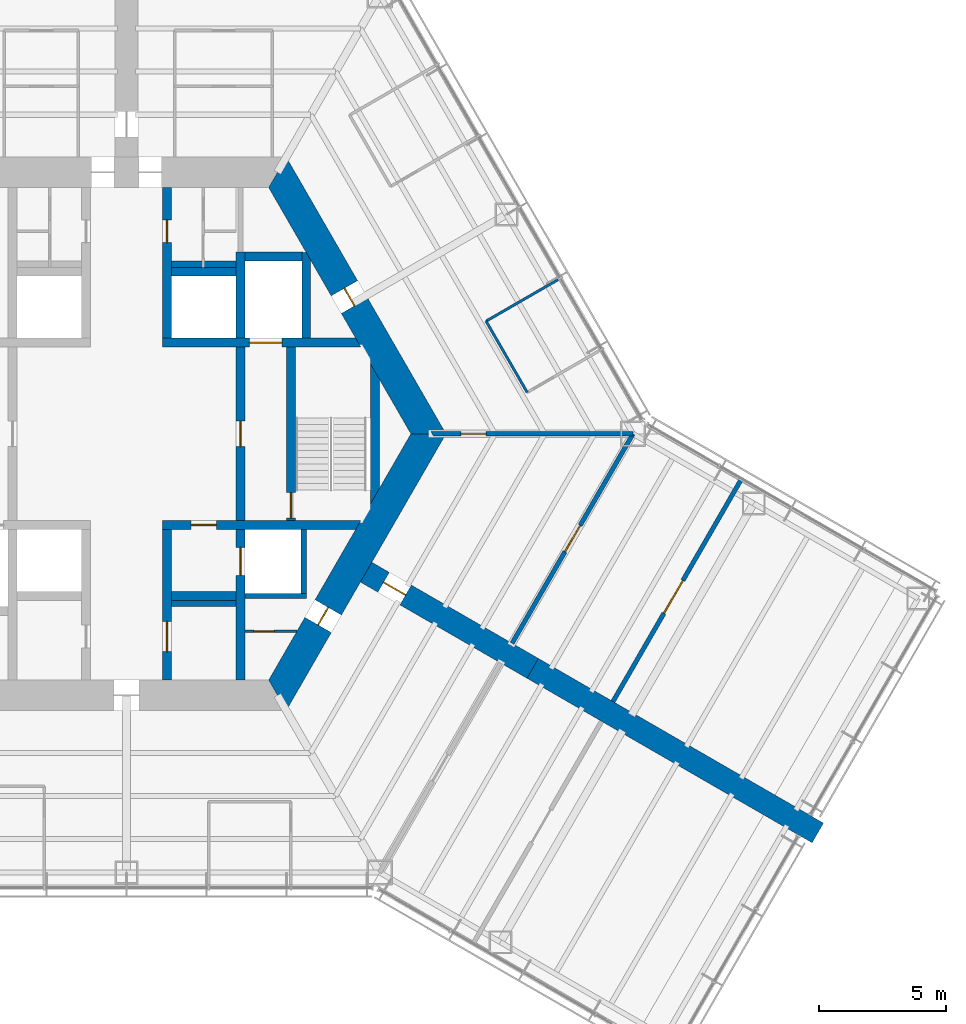
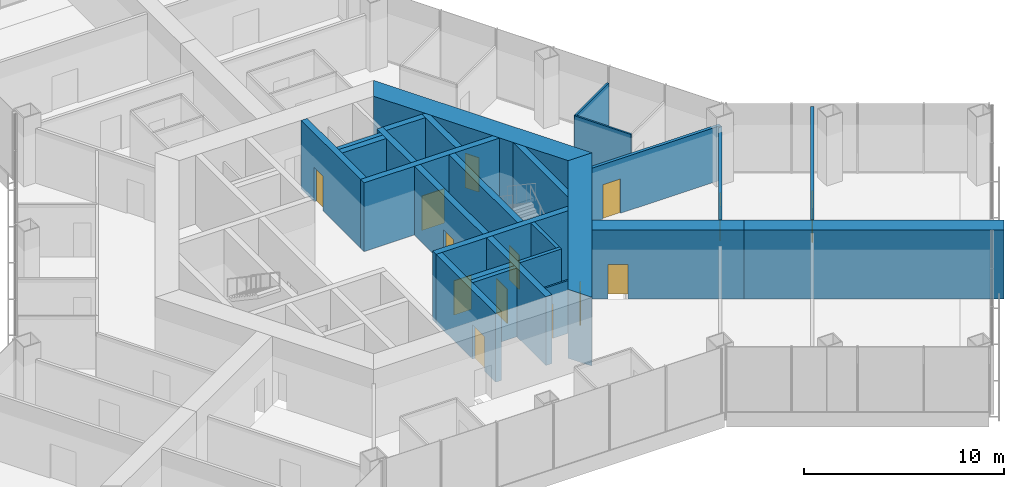
# One storey, part 12 of 17: 27 walls, 14 doors, 14 openings.
"""IFC4 building model written with IfcOpenShell, lengths in metres."""

from ifc_helpers import new_model, si_unit, direction, frame, frame_2d, origin, place, context, subcontext, project, spatial, polyline, rectangle, outline, extrude, material, layer, layer_set, type_object, element, fill, save


model = new_model("IFC4")

# Units and contexts
model_context = context("Model", 3, precision=1e-05, world=origin(), true_north=direction((0.0, 1.0)))
body_context = subcontext(model_context, "Body", "Model", "MODEL_VIEW")
ifc_project = project(units=[si_unit("LENGTHUNIT", "METRE"), si_unit("AREAUNIT", "SQUARE_METRE"), si_unit("VOLUMEUNIT", "CUBIC_METRE"), si_unit("PLANEANGLEUNIT", "RADIAN"), si_unit("MASSUNIT", "GRAM", prefix="KILO")], contexts=[model_context])

# Site, building, storey
site_placement = place(None, origin())
site = spatial("IfcSite", under=ifc_project, at=site_placement, CompositionType="ELEMENT")
building_placement = place(site_placement, origin())
building = spatial("IfcBuilding", under=site, at=building_placement, Name="Kasaneha Research Tower", CompositionType="ELEMENT")
storey_placement = place(building_placement, frame((0.0, 0.0, 43.60009765625)))
storey = spatial("IfcBuildingStorey", under=building, at=storey_placement, Name="L11", CompositionType="ELEMENT", Elevation=43.60009765625)

# Wall, opening, door
ifc_material_1 = material(Name="Concrete Fc100", Category="concrete")
ifc_layer_1 = layer(ifc_material_1, 0.35009765625)
ifc_layer_set_1 = layer_set([ifc_layer_1], Name="Core internal wall 350 Fc100")
wall_type_1 = type_object("IfcWallType", Name="Core internal wall 350 Fc100", PredefinedType="SHEAR", material=ifc_layer_set_1)
wall_1_placement = place(storey_placement, frame((1.425048828125, 3.60009765625, 0.0), z_axis=(0.0, 0.0, 1.0), x_axis=(1.0, 0.0, 0.0)))
wall_1 = element("IfcWall", 1, at=wall_1_placement, inside=storey, type_object=wall_type_1, Name="Core wall W1E L11", PredefinedType="SHEAR", context=body_context, shape_type="SweptSolid", body=[
    extrude(outline(polyline([(0.0, -0.175048828125), (3.425048828125, -0.175048828125), (4.72509765625, -0.175048828125), (7.8271484375, -0.175048828125), (7.625, 0.175048828125), (4.72509765625, 0.175048828125), (3.425048828125, 0.175048828125), (0.0, 0.175048828125), (0.0, -0.175048828125)])), origin(), (0.0, 0.0, 1.0), 4.199951171875),
])
opening_1_placement = place(wall_1_placement, frame((3.425048828125, 0.0, 0.0)))
opening_1 = element("IfcOpeningElement", 2, at=opening_1_placement, cuts=wall_1, Name="Opening LD-FL1-L11", PredefinedType="OPENING", context=body_context, shape_type="SweptSolid", body=[
    extrude(rectangle(XDim=1.300048828125, YDim=2.10009765625, at=frame_2d((0.64990234375, 1.050048828125))), frame((0.0, 0.18505859375, 0.0), z_axis=(0.0, -1.0, 0.0), x_axis=(1.0, 0.0, 0.0)), (0.0, 0.0, 1.0), 0.3701171875),
])
ifc_material_2 = material(Name="Steel", Category="steel")
door_type_1 = type_object("IfcDoorType", Name="Lift landing door 1300x2100", OperationType="DOUBLE_DOOR_SLIDING", PredefinedType="DOOR", material=ifc_material_2)
door_1_placement = place(opening_1_placement, origin())
door_1 = element("IfcDoor", 3, at=door_1_placement, inside=storey, type_object=door_type_1, Name="Landing door FL1 LD-FL1-L11", OperationType="DOUBLE_DOOR_SLIDING", OverallHeight=2.10009765625, OverallWidth=1.300048828125, PredefinedType="DOOR", context=body_context, shape_type="SweptSolid", body=[
    extrude(rectangle(XDim=1.300048828125, YDim=2.10009765625, at=frame_2d((0.64990234375, 1.050048828125))), frame((0.0, 0.02490234375, 0.0), z_axis=(0.0, -1.0, 0.0), x_axis=(1.0, 0.0, 0.0)), (0.0, 0.0, 1.0), 0.050048828125),
])
fill(opening_1, door_1)

wall_2_placement = place(storey_placement, frame((1.425048828125, -3.60009765625, 0.0), z_axis=(0.0, 0.0, 1.0), x_axis=(1.0, 0.0, 0.0)))
wall_2 = element("IfcWall", 4, at=wall_2_placement, inside=storey, type_object=wall_type_1, Name="Core wall W2E L11", PredefinedType="SHEAR", context=body_context, shape_type="SweptSolid", body=[
    extrude(outline(polyline([(0.0, -0.175048828125), (1.125, -0.175048828125), (2.125, -0.175048828125), (7.625, -0.175048828125), (7.8271484375, 0.175048828125), (2.125, 0.175048828125), (1.125, 0.175048828125), (0.0, 0.175048828125), (0.0, -0.175048828125)])), origin(), (0.0, 0.0, 1.0), 4.199951171875),
])
opening_2_placement = place(wall_2_placement, frame((1.125, 0.0, 0.0)))
opening_2 = element("IfcOpeningElement", 5, at=opening_2_placement, cuts=wall_2, Name="Opening L11-LV", PredefinedType="OPENING", context=body_context, shape_type="SweptSolid", body=[
    extrude(rectangle(XDim=1.0, YDim=2.10009765625, at=frame_2d((0.5, 1.050048828125))), frame((0.0, 0.18505859375, 0.0), z_axis=(0.0, -1.0, 0.0), x_axis=(1.0, 0.0, 0.0)), (0.0, 0.0, 1.0), 0.3701171875),
])
ifc_material_3 = material(Name="Steel", Category="steel")
door_type_2 = type_object("IfcDoorType", Name="Specified fire door FD60 1000x2100", OperationType="NOTDEFINED", PredefinedType="DOOR", material=ifc_material_3)
door_2_placement = place(opening_2_placement, origin())
door_2 = element("IfcDoor", 6, at=door_2_placement, inside=storey, type_object=door_type_2, Name="Podium vestibule door L11-LV", OperationType="SINGLE_SWING_LEFT", OverallHeight=2.10009765625, OverallWidth=1.0, PredefinedType="DOOR", context=body_context, shape_type="SweptSolid", body=[
    extrude(rectangle(XDim=1.0, YDim=2.10009765625, at=frame_2d((0.5, 1.050048828125))), frame((0.0, 0.02490234375, 0.0), z_axis=(0.0, -1.0, 0.0), x_axis=(1.0, 0.0, 0.0)), (0.0, 0.0, 1.0), 0.050048828125),
])
fill(opening_2, door_2)

wall_3_placement = place(storey_placement, frame((1.60009765625, 3.77490234375, 0.0), z_axis=(0.0, 0.0, 1.0), x_axis=(0.0, 1.0, 0.0)))
wall_3 = element("IfcWall", 7, at=wall_3_placement, inside=storey, type_object=wall_type_1, Name="Core wall CNE L11", PredefinedType="SHEAR", context=body_context, shape_type="SweptSolid", body=[
    extrude(rectangle(XDim=5.9501953125, YDim=0.35009765625, at=frame_2d((2.97509765625, 0.0))), origin(), (0.0, 0.0, 1.0), 4.199951171875),
])
opening_3_placement = place(wall_3_placement, frame((3.77490234375, 0.0, 0.0)))
opening_3 = element("IfcOpeningElement", 8, at=opening_3_placement, cuts=wall_3, Name="Opening L11-D14", PredefinedType="OPENING", context=body_context, shape_type="SweptSolid", body=[
    extrude(rectangle(XDim=0.89990234375, YDim=2.10009765625, at=frame_2d((0.449951171875, 1.050048828125))), frame((0.0, 0.18505859375, 0.0), z_axis=(0.0, -1.0, 0.0), x_axis=(1.0, 0.0, 0.0)), (0.0, 0.0, 1.0), 0.3701171875),
])
ifc_material_4 = material(Name="Steel", Category="steel")
door_type_3 = type_object("IfcDoorType", Name="Toilet door FD20 900x2100", OperationType="NOTDEFINED", PredefinedType="DOOR", material=ifc_material_4)
door_3_placement = place(opening_3_placement, origin())
door_3 = element("IfcDoor", 9, at=door_3_placement, inside=storey, type_object=door_type_3, Name="Women's WC door L11-D14", OperationType="SINGLE_SWING_LEFT", OverallHeight=2.10009765625, OverallWidth=0.89990234375, PredefinedType="DOOR", context=body_context, shape_type="SweptSolid", body=[
    extrude(rectangle(XDim=0.89990234375, YDim=2.10009765625, at=frame_2d((0.449951171875, 1.050048828125))), frame((0.0, 0.02490234375, 0.0), z_axis=(0.0, -1.0, 0.0), x_axis=(1.0, 0.0, 0.0)), (0.0, 0.0, 1.0), 0.050048828125),
])
fill(opening_3, door_3)

wall_4_placement = place(storey_placement, frame((1.60009765625, -3.77490234375, 0.0), z_axis=(0.0, 0.0, 1.0), x_axis=(0.0, -1.0, 0.0)))
wall_4 = element("IfcWall", 10, at=wall_4_placement, inside=storey, type_object=wall_type_1, Name="Core wall CSE L11", PredefinedType="SHEAR", context=body_context, shape_type="SweptSolid", body=[
    extrude(rectangle(XDim=5.9501953125, YDim=0.35009765625, at=frame_2d((2.97509765625, 0.0))), origin(), (0.0, 0.0, 1.0), 4.199951171875),
])
opening_4_placement = place(wall_4_placement, frame((3.625, 0.0, 0.0)))
opening_4 = element("IfcOpeningElement", 11, at=opening_4_placement, cuts=wall_4, Name="Opening L11-D15", PredefinedType="OPENING", context=body_context, shape_type="SweptSolid", body=[
    extrude(rectangle(XDim=1.199951171875, YDim=2.10009765625, at=frame_2d((0.60009765625, 1.050048828125))), frame((0.0, 0.18505859375, 0.0), z_axis=(0.0, -1.0, 0.0), x_axis=(1.0, 0.0, 0.0)), (0.0, 0.0, 1.0), 0.3701171875),
])
ifc_material_5 = material(Name="Steel", Category="steel")
door_type_4 = type_object("IfcDoorType", Name="Accessible toilet sliding door FD20 1200x2100", OperationType="SLIDING_TO_LEFT", PredefinedType="DOOR", material=ifc_material_5)
door_4_placement = place(opening_4_placement, origin())
door_4 = element("IfcDoor", 12, at=door_4_placement, inside=storey, type_object=door_type_4, Name="Accessible WC door L11-D15", OperationType="SLIDING_TO_LEFT", OverallHeight=2.10009765625, OverallWidth=1.199951171875, PredefinedType="DOOR", context=body_context, shape_type="SweptSolid", body=[
    extrude(rectangle(XDim=1.199951171875, YDim=2.10009765625, at=frame_2d((0.60009765625, 1.050048828125))), frame((0.0, 0.02490234375, 0.0), z_axis=(0.0, -1.0, 0.0), x_axis=(1.0, 0.0, 0.0)), (0.0, 0.0, 1.0), 0.050048828125),
])
fill(opening_4, door_4)

wall_5_placement = place(storey_placement, frame((4.5, -3.425048828125, 0.0), z_axis=(0.0, 0.0, 1.0), x_axis=(0.0, 1.0, 0.0)))
wall_5 = element("IfcWall", 13, at=wall_5_placement, inside=storey, type_object=wall_type_1, Name="Core wall LBE L11", PredefinedType="SHEAR", context=body_context, shape_type="SweptSolid", body=[
    extrude(rectangle(XDim=6.85009765625, YDim=0.35009765625, at=frame_2d((3.425048828125, 0.0))), origin(), (0.0, 0.0, 1.0), 4.199951171875),
])
opening_5_placement = place(wall_5_placement, frame((2.925048828125, 0.0, 0.0)))
opening_5 = element("IfcOpeningElement", 14, at=opening_5_placement, cuts=wall_5, Name="Opening L11-D08", PredefinedType="OPENING", context=body_context, shape_type="SweptSolid", body=[
    extrude(rectangle(XDim=1.0, YDim=2.10009765625, at=frame_2d((0.5, 1.050048828125))), frame((0.0, 0.18505859375, 0.0), z_axis=(0.0, -1.0, 0.0), x_axis=(1.0, 0.0, 0.0)), (0.0, 0.0, 1.0), 0.3701171875),
])
door_5_placement = place(opening_5_placement, origin())
door_5 = element("IfcDoor", 15, at=door_5_placement, inside=storey, type_object=door_type_2, Name="Lift lobby door east L11-D08", OperationType="SINGLE_SWING_LEFT", OverallHeight=2.10009765625, OverallWidth=1.0, PredefinedType="DOOR", context=body_context, shape_type="SweptSolid", body=[
    extrude(rectangle(XDim=1.0, YDim=2.10009765625, at=frame_2d((0.5, 1.050048828125))), frame((0.0, 0.02490234375, 0.0), z_axis=(0.0, -1.0, 0.0), x_axis=(1.0, 0.0, 0.0)), (0.0, 0.0, 1.0), 0.050048828125),
])
fill(opening_5, door_5)

wall_6_placement = place(storey_placement, frame((6.5, -3.425048828125, 0.0), z_axis=(0.0, 0.0, 1.0), x_axis=(0.0, 1.0, 0.0)))
wall_6 = element("IfcWall", 16, at=wall_6_placement, inside=storey, type_object=wall_type_1, Name="Core wall ANE L11", PredefinedType="SHEAR", context=body_context, shape_type="SweptSolid", body=[
    extrude(rectangle(XDim=6.85009765625, YDim=0.35009765625, at=frame_2d((3.425048828125, 0.0))), origin(), (0.0, 0.0, 1.0), 4.199951171875),
])
opening_6_placement = place(wall_6_placement, frame((0.10009765625, 0.0, 0.0)))
opening_6 = element("IfcOpeningElement", 17, at=opening_6_placement, cuts=wall_6, Name="Opening L11-D10", PredefinedType="OPENING", context=body_context, shape_type="SweptSolid", body=[
    extrude(rectangle(XDim=1.0, YDim=2.10009765625, at=frame_2d((0.5, 1.050048828125))), frame((0.0, 0.18505859375, 0.0), z_axis=(0.0, -1.0, 0.0), x_axis=(1.0, 0.0, 0.0)), (0.0, 0.0, 1.0), 0.3701171875),
])
door_6_placement = place(opening_6_placement, origin())
door_6 = element("IfcDoor", 18, at=door_6_placement, inside=storey, type_object=door_type_2, Name="Stair 1 door L11-D10", OperationType="SINGLE_SWING_LEFT", OverallHeight=2.10009765625, OverallWidth=1.0, PredefinedType="DOOR", context=body_context, shape_type="SweptSolid", body=[
    extrude(rectangle(XDim=1.0, YDim=2.10009765625, at=frame_2d((0.5, 1.050048828125))), frame((0.0, 0.02490234375, 0.0), z_axis=(0.0, -1.0, 0.0), x_axis=(1.0, 0.0, 0.0)), (0.0, 0.0, 1.0), 0.050048828125),
])
fill(opening_6, door_6)

# Wall
wall_7_placement = place(storey_placement, frame((4.5, 3.77490234375, 0.0), z_axis=(0.0, 0.0, 1.0), x_axis=(0.0, 1.0, 0.0)))
element("IfcWall", 19, at=wall_7_placement, inside=storey, type_object=wall_type_1, Name="Core wall FNE L11", PredefinedType="SHEAR", context=body_context, shape_type="SweptSolid", body=[
    extrude(rectangle(XDim=3.400146484375, YDim=0.35009765625, at=frame_2d((1.7001953125, 0.0))), origin(), (0.0, 0.0, 1.0), 4.199951171875),
])

# Wall, opening, door
wall_8_placement = place(storey_placement, frame((4.5, -3.77490234375, 0.0), z_axis=(0.0, 0.0, 1.0), x_axis=(0.0, -1.0, 0.0)))
wall_8 = element("IfcWall", 20, at=wall_8_placement, inside=storey, type_object=wall_type_1, Name="Core wall SSE L11", PredefinedType="SHEAR", context=body_context, shape_type="SweptSolid", body=[
    extrude(rectangle(XDim=5.9501953125, YDim=0.35009765625, at=frame_2d((2.97509765625, 0.0))), origin(), (0.0, 0.0, 1.0), 4.199951171875),
])
opening_7_placement = place(wall_8_placement, frame((0.71240234375, 0.0, 0.0)))
opening_7 = element("IfcOpeningElement", 21, at=opening_7_placement, cuts=wall_8, Name="Opening LD-PL1-L11", PredefinedType="OPENING", context=body_context, shape_type="SweptSolid", body=[
    extrude(rectangle(XDim=1.10009765625, YDim=2.10009765625, at=frame_2d((0.550048828125, 1.050048828125))), frame((0.0, 0.18505859375, 0.0), z_axis=(0.0, -1.0, 0.0), x_axis=(1.0, 0.0, 0.0)), (0.0, 0.0, 1.0), 0.3701171875),
])
ifc_material_6 = material(Name="Steel", Category="steel")
door_type_5 = type_object("IfcDoorType", Name="Lift landing door 1100x2100", OperationType="DOUBLE_DOOR_SLIDING", PredefinedType="DOOR", material=ifc_material_6)
door_7_placement = place(opening_7_placement, origin())
door_7 = element("IfcDoor", 22, at=door_7_placement, inside=storey, type_object=door_type_5, Name="Landing door PL1 LD-PL1-L11", OperationType="DOUBLE_DOOR_SLIDING", OverallHeight=2.10009765625, OverallWidth=1.10009765625, PredefinedType="DOOR", context=body_context, shape_type="SweptSolid", body=[
    extrude(rectangle(XDim=1.10009765625, YDim=2.10009765625, at=frame_2d((0.550048828125, 1.050048828125))), frame((0.0, 0.02490234375, 0.0), z_axis=(0.0, -1.0, 0.0), x_axis=(1.0, 0.0, 0.0)), (0.0, 0.0, 1.0), 0.050048828125),
])
fill(opening_7, door_7)

# Walls
for number, where, z_axis, x_axis, name in (
    (23, (1.77490234375, 6.39990234375, 0.0), (0.0, 0.0, 1.0), (1.0, 0.0, 0.0), "Core wall N3N L11"),
    (24, (1.77490234375, -6.39990234375, 0.0), (0.0, 0.0, 1.0), (1.0, 0.0, 0.0), "Core wall S3S L11"),
):
    element("IfcWall", number, at=place(storey_placement, frame(where, z_axis=z_axis, x_axis=x_axis)), inside=storey, type_object=wall_type_1, Name=name, PredefinedType="SHEAR", context=body_context, shape_type="SweptSolid", body=[
        extrude(rectangle(XDim=2.550048828125, YDim=0.35009765625, at=frame_2d((1.27490234375, 0.0))), origin(), (0.0, 0.0, 1.0), 4.199951171875),
    ])
wall_9_placement = place(storey_placement, frame((4.675048828125, 7.0, 0.0), z_axis=(0.0, 0.0, 1.0), x_axis=(1.0, 0.0, 0.0)))
element("IfcWall", 25, at=wall_9_placement, inside=storey, type_object=wall_type_1, Name="Core wall F1N L11", PredefinedType="SHEAR", context=body_context, shape_type="SweptSolid", body=[
    extrude(rectangle(XDim=2.25, YDim=0.35009765625, at=frame_2d((1.125, 0.0))), origin(), (0.0, 0.0, 1.0), 4.199951171875),
])
wall_10_placement = place(storey_placement, frame((7.10009765625, 3.77490234375, 0.0), z_axis=(0.0, 0.0, 1.0), x_axis=(0.0, 1.0, 0.0)))
element("IfcWall", 26, at=wall_10_placement, inside=storey, type_object=wall_type_1, Name="Core wall F1E L11", PredefinedType="SHEAR", context=body_context, shape_type="SweptSolid", body=[
    extrude(outline(polyline([(0.0, -0.175048828125), (3.07421875, -0.175048828125), (3.37744140625, 0.0), (3.39990234375, 0.175048828125), (0.0, 0.175048828125), (0.0, -0.175048828125)])), origin(), (0.0, 0.0, 1.0), 4.199951171875),
])
wall_11_placement = place(storey_placement, frame((9.807861328125, -2.462158203125, 0.0), z_axis=(0.0, 0.0, 1.0), x_axis=(0.0, 1.0, 0.0)))
element("IfcWall", 27, at=wall_11_placement, inside=storey, type_object=wall_type_1, Name="Core wall STE L11", PredefinedType="SHEAR", context=body_context, shape_type="SweptSolid", body=[
    extrude(outline(polyline([(0.30322265625, -0.175048828125), (4.62109375, -0.175048828125), (5.2275390625, 0.175048828125), (-0.30322265625, 0.175048828125), (0.30322265625, -0.175048828125)])), origin(), (0.0, 0.0, 1.0), 4.199951171875),
])

# Wall, opening, door
ifc_material_7 = material(Name="Concrete Fc100", Category="concrete")
ifc_layer_2 = layer(ifc_material_7, 1.199951171875)
ifc_layer_set_2 = layer_set([ifc_layer_2], Name="Core wall 1200 Fc100")
wall_type_2 = type_object("IfcWallType", Name="Core wall 1200 Fc100", PredefinedType="SHEAR", material=ifc_layer_set_2)
wall_12_placement = place(storey_placement, frame((11.92236328125, 0.0, 0.0), z_axis=(0.0, 0.0, 1.0), x_axis=(-0.500004296715, 0.866022923061, 0.0)))
wall_12 = element("IfcWall", 28, at=wall_12_placement, inside=storey, type_object=wall_type_2, Name="Core wall 030 L11", PredefinedType="SHEAR", context=body_context, shape_type="SweptSolid", body=[
    extrude(outline(polyline([(-0.346435546875, -0.60009765625), (5.83544921875, -0.60009765625), (6.635498046875, -0.60009765625), (12.268798828125, -0.60009765625), (11.575927734375, 0.60009765625), (6.635498046875, 0.60009765625), (5.83544921875, 0.60009765625), (0.346435546875, 0.60009765625), (-0.346435546875, -0.60009765625)])), origin(), (0.0, 0.0, 1.0), 4.199951171875),
])
opening_8_placement = place(wall_12_placement, frame((5.83544921875, 0.0, 0.0)))
opening_8 = element("IfcOpeningElement", 29, at=opening_8_placement, cuts=wall_12, Name="Opening L11-D04", PredefinedType="OPENING", context=body_context, shape_type="SweptSolid", body=[
    extrude(rectangle(XDim=0.800048828125, YDim=2.10009765625, at=frame_2d((0.39990234375, 1.050048828125))), frame((0.0, 0.60986328125, 0.0), z_axis=(0.0, -1.0, 0.0), x_axis=(1.0, 0.0, 0.0)), (0.0, 0.0, 1.0), 1.219970703125),
])
ifc_material_8 = material(Name="Steel", Category="steel")
door_type_6 = type_object("IfcDoorType", Name="Riser access door FD60 800x2100", OperationType="NOTDEFINED", PredefinedType="DOOR", material=ifc_material_8)
door_8_placement = place(opening_8_placement, origin())
door_8 = element("IfcDoor", 30, at=door_8_placement, inside=storey, type_object=door_type_6, Name="Pipe riser door L11-D04", OperationType="SINGLE_SWING_RIGHT", OverallHeight=2.10009765625, OverallWidth=0.800048828125, PredefinedType="DOOR", context=body_context, shape_type="SweptSolid", body=[
    extrude(rectangle(XDim=0.800048828125, YDim=2.10009765625, at=frame_2d((0.39990234375, 1.050048828125))), frame((0.0, 0.02490234375, 0.0), z_axis=(0.0, -1.0, 0.0), x_axis=(1.0, 0.0, 0.0)), (0.0, 0.0, 1.0), 0.050048828125),
])
fill(opening_8, door_8)

wall_13_placement = place(storey_placement, frame((5.961181640625, -10.324951171875, 0.0), z_axis=(0.0, 0.0, 1.0), x_axis=(0.500004296715, 0.866022923061, 0.0)))
wall_13 = element("IfcWall", 31, at=wall_13_placement, inside=storey, type_object=wall_type_2, Name="Core wall 330 L11", PredefinedType="SHEAR", context=body_context, shape_type="SweptSolid", body=[
    extrude(outline(polyline([(-0.346435546875, -0.60009765625), (3.20849609375, -0.60009765625), (4.008544921875, -0.60009765625), (12.268798828125, -0.60009765625), (11.575927734375, 0.60009765625), (4.008544921875, 0.60009765625), (3.20849609375, 0.60009765625), (0.346435546875, 0.60009765625), (-0.346435546875, -0.60009765625)])), origin(), (0.0, 0.0, 1.0), 4.199951171875),
])
opening_9_placement = place(wall_13_placement, frame((3.20849609375, 0.0, 0.0)))
opening_9 = element("IfcOpeningElement", 32, at=opening_9_placement, cuts=wall_13, Name="Opening L11-D05", PredefinedType="OPENING", context=body_context, shape_type="SweptSolid", body=[
    extrude(rectangle(XDim=0.800048828125, YDim=2.10009765625, at=frame_2d((0.39990234375, 1.050048828125))), frame((0.0, 0.60986328125, 0.0), z_axis=(0.0, -1.0, 0.0), x_axis=(1.0, 0.0, 0.0)), (0.0, 0.0, 1.0), 1.219970703125),
])
door_9_placement = place(opening_9_placement, origin())
door_9 = element("IfcDoor", 33, at=door_9_placement, inside=storey, type_object=door_type_6, Name="Pipe riser door L11-D05", OperationType="SINGLE_SWING_LEFT", OverallHeight=2.10009765625, OverallWidth=0.800048828125, PredefinedType="DOOR", context=body_context, shape_type="SweptSolid", body=[
    extrude(rectangle(XDim=0.800048828125, YDim=2.10009765625, at=frame_2d((0.39990234375, 1.050048828125))), frame((0.0, 0.02490234375, 0.0), z_axis=(0.0, -1.0, 0.0), x_axis=(1.0, 0.0, 0.0)), (0.0, 0.0, 1.0), 0.050048828125),
])
fill(opening_9, door_9)

ifc_material_9 = material(Name="Gypsum board on steel studs, two layers each side", Category="steel")
ifc_layer_3 = layer(ifc_material_9, 0.175048828125)
ifc_layer_set_3 = layer_set([ifc_layer_3], Name="Laboratory fire partition 175")
wall_type_3 = type_object("IfcWallType", Name="Laboratory fire partition 175", PredefinedType="PARTITIONING", material=ifc_layer_set_3)
wall_14_placement = place(storey_placement, frame((15.22509765625, -8.2705078125, 0.0), z_axis=(0.0, 0.0, 1.0), x_axis=(0.499993908199, 0.866028920859, 0.0)))
wall_14 = element("IfcWall", 34, at=wall_14_placement, inside=storey, type_object=wall_type_3, Name="Laboratory fire partition LABC-E L11", PredefinedType="PARTITIONING", context=body_context, shape_type="SweptSolid", body=[
    extrude(rectangle(XDim=9.5498046875, YDim=0.175048828125, at=frame_2d((4.77490234375, 0.0))), origin(), (0.0, 0.0, 1.0), 3.23779296875),
])
opening_10_placement = place(wall_14_placement, frame((4.175048828125, 0.0, 0.0)))
opening_10 = element("IfcOpeningElement", 35, at=opening_10_placement, cuts=wall_14, Name="Opening L11-D46", PredefinedType="OPENING", context=body_context, shape_type="SweptSolid", body=[
    extrude(rectangle(XDim=1.199951171875, YDim=2.10009765625, at=frame_2d((0.60009765625, 1.050048828125))), frame((0.0, 0.09765625, 0.0), z_axis=(0.0, -1.0, 0.0), x_axis=(1.0, 0.0, 0.0)), (0.0, 0.0, 1.0), 0.195068359375),
])
ifc_material_10 = material(Name="Steel", Category="steel")
door_type_7 = type_object("IfcDoorType", Name="Laboratory door FD60 1200x2100", OperationType="DOUBLE_DOOR_SINGLE_SWING", PredefinedType="DOOR", material=ifc_material_10)
door_10_placement = place(opening_10_placement, origin())
door_10 = element("IfcDoor", 36, at=door_10_placement, inside=storey, type_object=door_type_7, Name="Laboratory door L11-D46", OperationType="DOUBLE_DOOR_SINGLE_SWING", OverallHeight=2.10009765625, OverallWidth=1.199951171875, PredefinedType="DOOR", context=body_context, shape_type="SweptSolid", body=[
    extrude(rectangle(XDim=1.199951171875, YDim=2.10009765625, at=frame_2d((0.60009765625, 1.050048828125))), frame((0.0, 0.02490234375, 0.0), z_axis=(0.0, -1.0, 0.0), x_axis=(1.0, 0.0, 0.0)), (0.0, 0.0, 1.0), 0.050048828125),
])
fill(opening_10, door_10)

wall_15_placement = place(storey_placement, frame((19.208740234375, -10.570556640625, 0.0), z_axis=(0.0, 0.0, 1.0), x_axis=(0.500005203629, 0.866022399447, 0.0)))
wall_15 = element("IfcWall", 37, at=wall_15_placement, inside=storey, type_object=wall_type_3, Name="Laboratory fire partition INSC-E L11", PredefinedType="PARTITIONING", context=body_context, shape_type="SweptSolid", body=[
    extrude(rectangle(XDim=10.14013671875, YDim=0.175048828125, at=frame_2d((5.070068359375, 0.0))), origin(), (0.0, 0.0, 1.0), 4.02978515625),
])
opening_11_placement = place(wall_15_placement, frame((4.02490234375, 0.0, 0.0)))
opening_11 = element("IfcOpeningElement", 38, at=opening_11_placement, cuts=wall_15, Name="Opening L11-D47", PredefinedType="OPENING", context=body_context, shape_type="SweptSolid", body=[
    extrude(rectangle(XDim=1.5, YDim=2.10009765625, at=frame_2d((0.75, 1.050048828125))), frame((0.0, 0.09765625, 0.0), z_axis=(0.0, -1.0, 0.0), x_axis=(1.0, 0.0, 0.0)), (0.0, 0.0, 1.0), 0.195068359375),
])
ifc_material_11 = material(Name="Steel", Category="steel")
door_type_8 = type_object("IfcDoorType", Name="Laboratory door FD60 1500x2100", OperationType="DOUBLE_DOOR_SINGLE_SWING", PredefinedType="DOOR", material=ifc_material_11)
door_11_placement = place(opening_11_placement, origin())
door_11 = element("IfcDoor", 39, at=door_11_placement, inside=storey, type_object=door_type_8, Name="Instrument room door L11-D47", OperationType="DOUBLE_DOOR_SINGLE_SWING", OverallHeight=2.10009765625, OverallWidth=1.5, PredefinedType="DOOR", context=body_context, shape_type="SweptSolid", body=[
    extrude(rectangle(XDim=1.5, YDim=2.10009765625, at=frame_2d((0.75, 1.050048828125))), frame((0.0, 0.02490234375, 0.0), z_axis=(0.0, -1.0, 0.0), x_axis=(1.0, 0.0, 0.0)), (0.0, 0.0, 1.0), 0.050048828125),
])
fill(opening_11, door_11)

# Walls
ifc_material_12 = material(Name="Concrete block", Category="concrete")
ifc_layer_4 = layer(ifc_material_12, 0.199951171875)
ifc_layer_set_4 = layer_set([ifc_layer_4], Name="Lift shaft wall 200")
wall_type_4 = type_object("IfcWallType", Name="Lift shaft wall 200", PredefinedType="STANDARD", material=ifc_layer_set_4)
wall_16_placement = place(storey_placement, frame((4.675048828125, -6.39990234375, 0.0), z_axis=(0.0, 0.0, 1.0), x_axis=(1.0, 0.0, 0.0)))
element("IfcWall", 40, at=wall_16_placement, inside=storey, type_object=wall_type_4, Name="Lift shaft wall P1S L11", PredefinedType="STANDARD", context=body_context, shape_type="SweptSolid", body=[
    extrude(rectangle(XDim=2.425048828125, YDim=0.199951171875, at=frame_2d((1.21240234375, 0.0))), origin(), (0.0, 0.0, 1.0), 4.199951171875),
])
wall_17_placement = place(storey_placement, frame((7.0, -3.77490234375, 0.0), z_axis=(0.0, 0.0, 1.0), x_axis=(0.0, -1.0, 0.0)))
element("IfcWall", 41, at=wall_17_placement, inside=storey, type_object=wall_type_4, Name="Lift shaft wall P1E L11", PredefinedType="STANDARD", context=body_context, shape_type="SweptSolid", body=[
    extrude(rectangle(XDim=2.525146484375, YDim=0.199951171875, at=frame_2d((1.2626953125, 0.0))), origin(), (0.0, 0.0, 1.0), 4.199951171875),
])

# Wall, opening, door
ifc_material_13 = material(Name="Gypsum board on steel studs, one layer each side", Category="steel")
ifc_layer_5 = layer(ifc_material_13, 0.10009765625)
ifc_layer_set_5 = layer_set([ifc_layer_5], Name="Office partition 100")
wall_type_5 = type_object("IfcWallType", Name="Office partition 100", PredefinedType="PARTITIONING", material=ifc_layer_set_5)
wall_18_placement = place(storey_placement, frame((4.675048828125, -7.800048828125, 0.0), z_axis=(0.0, 0.0, 1.0), x_axis=(1.0, 0.0, 0.0)))
wall_18 = element("IfcWall", 42, at=wall_18_placement, inside=storey, type_object=wall_type_5, Name="Office partition RS-SE L11", PredefinedType="PARTITIONING", context=body_context, shape_type="SweptSolid", body=[
    extrude(outline(polyline([(0.0, -0.050048828125), (0.35009765625, -0.050048828125), (1.150146484375, -0.050048828125), (2.022216796875, -0.050048828125), (2.051025390625, 0.0), (2.056884765625, 0.050048828125), (1.150146484375, 0.050048828125), (0.35009765625, 0.050048828125), (0.0, 0.050048828125), (0.0, -0.050048828125)])), origin(), (0.0, 0.0, 1.0), 3.22998046875),
])
opening_12_placement = place(wall_18_placement, frame((0.35009765625, 0.0, 0.0)))
opening_12 = element("IfcOpeningElement", 43, at=opening_12_placement, cuts=wall_18, Name="Opening L11-D24", PredefinedType="OPENING", context=body_context, shape_type="SweptSolid", body=[
    extrude(rectangle(XDim=0.800048828125, YDim=2.10009765625, at=frame_2d((0.39990234375, 1.050048828125))), frame((0.0, 0.06005859375, 0.0), z_axis=(0.0, -1.0, 0.0), x_axis=(1.0, 0.0, 0.0)), (0.0, 0.0, 1.0), 0.1201171875),
])
door_12_placement = place(opening_12_placement, origin())
door_12 = element("IfcDoor", 44, at=door_12_placement, inside=storey, type_object=door_type_6, Name="Drainage riser door L11-D24", OperationType="SINGLE_SWING_LEFT", OverallHeight=2.10009765625, OverallWidth=0.800048828125, PredefinedType="DOOR", context=body_context, shape_type="SweptSolid", body=[
    extrude(rectangle(XDim=0.800048828125, YDim=2.10009765625, at=frame_2d((0.39990234375, 1.050048828125))), frame((0.0, 0.02490234375, 0.0), z_axis=(0.0, -1.0, 0.0), x_axis=(1.0, 0.0, 0.0)), (0.0, 0.0, 1.0), 0.050048828125),
])
fill(opening_12, door_12)

# Walls
wall_19_placement = place(storey_placement, frame((14.1982421875, 4.44873046875, 0.0), z_axis=(0.0, 0.0, 1.0), x_axis=(0.866008333849, 0.50002956483, 0.0)))
element("IfcWall", 45, at=wall_19_placement, inside=storey, type_object=wall_type_5, Name="Office partition FAE04 L11", PredefinedType="PARTITIONING", context=body_context, shape_type="SweptSolid", body=[
    extrude(rectangle(XDim=3.280029296875, YDim=0.10009765625, at=frame_2d((1.64013671875, 0.0))), origin(), (0.0, 0.0, 1.0), 3.22998046875),
])
wall_20_placement = place(storey_placement, frame((15.821533203125, 1.63720703125, 0.0), z_axis=(0.0, 0.0, 1.0), x_axis=(-0.500013214685, 0.866017774148, 0.0)))
element("IfcWall", 46, at=wall_20_placement, inside=storey, type_object=wall_type_5, Name="Office partition FAE05 L11", PredefinedType="PARTITIONING", context=body_context, shape_type="SweptSolid", body=[
    extrude(rectangle(XDim=3.24658203125, YDim=0.10009765625, at=frame_2d((1.623291015625, 0.0))), origin(), (0.0, 0.0, 1.0), 3.22998046875),
])

# Wall, opening, door
ifc_material_14 = material(Name="Concrete Fc100", Category="concrete")
ifc_layer_6 = layer(ifc_material_14, 0.89990234375)
ifc_layer_set_6 = layer_set([ifc_layer_6], Name="Spine wall 900 Fc100")
wall_type_6 = type_object("IfcWallType", Name="Spine wall 900 Fc100", PredefinedType="SHEAR", material=ifc_layer_set_6)
wall_21_placement = place(storey_placement, frame((9.46142578125, -5.46240234375, 0.0), z_axis=(0.0, 0.0, 1.0), x_axis=(0.866019116917, -0.500010889016, 0.0)))
wall_21 = element("IfcWall", 47, at=wall_21_placement, inside=storey, type_object=wall_type_6, Name="Spine wall C L11", PredefinedType="SHEAR", context=body_context, shape_type="SweptSolid", body=[
    extrude(rectangle(XDim=7.595458984375, YDim=0.89990234375, at=frame_2d((3.7978515625, 0.0))), origin(), (0.0, 0.0, 1.0), 4.199951171875),
])
opening_13_placement = place(wall_21_placement, frame((0.800048828125, 0.0, 0.0)))
opening_13 = element("IfcOpeningElement", 48, at=opening_13_placement, cuts=wall_21, Name="Opening L11-D19", PredefinedType="OPENING", context=body_context, shape_type="SweptSolid", body=[
    extrude(rectangle(XDim=1.0, YDim=2.10009765625, at=frame_2d((0.5, 1.050048828125))), frame((0.0, 0.4599609375, 0.0), z_axis=(0.0, -1.0, 0.0), x_axis=(1.0, 0.0, 0.0)), (0.0, 0.0, 1.0), 0.919921875),
])
door_13_placement = place(opening_13_placement, origin())
door_13 = element("IfcDoor", 49, at=door_13_placement, inside=storey, type_object=door_type_2, Name="Spine doorway C L11-D19", OperationType="SINGLE_SWING_LEFT", OverallHeight=2.10009765625, OverallWidth=1.0, PredefinedType="DOOR", context=body_context, shape_type="SweptSolid", body=[
    extrude(rectangle(XDim=1.0, YDim=2.10009765625, at=frame_2d((0.5, 1.050048828125))), frame((0.0, 0.02490234375, 0.0), z_axis=(0.0, -1.0, 0.0), x_axis=(1.0, 0.0, 0.0)), (0.0, 0.0, 1.0), 0.050048828125),
])
fill(opening_13, door_13)

# Wall
wall_22_placement = place(storey_placement, frame((16.039306640625, -9.26025390625, 0.0), z_axis=(0.0, 0.0, 1.0), x_axis=(0.866024837091, -0.50000098154, 0.0)))
element("IfcWall", 50, at=wall_22_placement, inside=storey, type_object=wall_type_6, Name="Spine wall C wing L11", PredefinedType="SHEAR", context=body_context, shape_type="SweptSolid", body=[
    extrude(rectangle(XDim=13.0, YDim=0.89990234375, at=frame_2d((6.5, 0.0))), origin(), (0.0, 0.0, 1.0), 4.199951171875),
])

# Wall, opening, door
ifc_material_15 = material(Name="Gypsum board on steel studs, two layers each side", Category="steel")
ifc_layer_7 = layer(ifc_material_15, 0.175048828125)
ifc_layer_set_7 = layer_set([ifc_layer_7], Name="Tenancy fire partition 175")
wall_type_7 = type_object("IfcWallType", Name="Tenancy fire partition 175", PredefinedType="PARTITIONING", material=ifc_layer_set_7)
wall_23_placement = place(storey_placement, frame((12.070068359375, 0.0, 0.0), z_axis=(0.0, 0.0, 1.0), x_axis=(1.0, 0.0, 0.0)))
wall_23 = element("IfcWall", 51, at=wall_23_placement, inside=storey, type_object=wall_type_7, Name="Tenancy fire partition T000 L11", PredefinedType="PARTITIONING", context=body_context, shape_type="SweptSolid", body=[
    extrude(outline(polyline([(0.050537109375, -0.08740234375), (1.12939453125, -0.08740234375), (2.12939453125, -0.08740234375), (7.929931640625, -0.08740234375), (7.929931640625, 0.08740234375), (2.12939453125, 0.08740234375), (1.12939453125, 0.08740234375), (-0.050537109375, 0.08740234375), (0.050537109375, -0.08740234375)])), origin(), (0.0, 0.0, 1.0), 3.329833984375),
])
opening_14_placement = place(wall_23_placement, frame((1.12939453125, 0.0, 0.0)))
opening_14 = element("IfcOpeningElement", 52, at=opening_14_placement, cuts=wall_23, Name="Opening L11-D25", PredefinedType="OPENING", context=body_context, shape_type="SweptSolid", body=[
    extrude(rectangle(XDim=1.0, YDim=2.10009765625, at=frame_2d((0.5, 1.050048828125))), frame((0.0, 0.09765625, 0.0), z_axis=(0.0, -1.0, 0.0), x_axis=(1.0, 0.0, 0.0)), (0.0, 0.0, 1.0), 0.195068359375),
])
ifc_material_16 = material(Name="Steel", Category="steel")
door_type_9 = type_object("IfcDoorType", Name="Suite entrance door FD60 1000x2100", OperationType="NOTDEFINED", PredefinedType="DOOR", material=ifc_material_16)
door_14_placement = place(opening_14_placement, origin())
door_14 = element("IfcDoor", 53, at=door_14_placement, inside=storey, type_object=door_type_9, Name="Connecting door L11-D25", OperationType="SINGLE_SWING_LEFT", OverallHeight=2.10009765625, OverallWidth=1.0, PredefinedType="DOOR", context=body_context, shape_type="SweptSolid", body=[
    extrude(rectangle(XDim=1.0, YDim=2.10009765625, at=frame_2d((0.5, 1.050048828125))), frame((0.0, 0.02490234375, 0.0), z_axis=(0.0, -1.0, 0.0), x_axis=(1.0, 0.0, 0.0)), (0.0, 0.0, 1.0), 0.050048828125),
])
fill(opening_14, door_14)

# Walls
ifc_material_17 = material(Name="Concrete block lining", Category="concrete")
ifc_layer_8 = layer(ifc_material_17, 0.25)
ifc_layer_set_8 = layer_set([ifc_layer_8], Name="WC plumbing wall 250")
wall_type_8 = type_object("IfcWallType", Name="WC plumbing wall 250", PredefinedType="PLUMBINGWALL", material=ifc_layer_set_8)
for number, where, z_axis, x_axis, name in (
    (54, (1.77490234375, 6.699951171875, 0.0), (0.0, 0.0, 1.0), (1.0, 0.0, 0.0), "WC plumbing wall F L11"),
    (55, (1.77490234375, -6.699951171875, 0.0), (0.0, 0.0, 1.0), (1.0, 0.0, 0.0), "WC plumbing wall A L11"),
):
    element("IfcWall", number, at=place(storey_placement, frame(where, z_axis=z_axis, x_axis=x_axis)), inside=storey, type_object=wall_type_8, Name=name, PredefinedType="PLUMBINGWALL", context=body_context, shape_type="SweptSolid", body=[
        extrude(rectangle(XDim=2.550048828125, YDim=0.25, at=frame_2d((1.27490234375, 0.0))), origin(), (0.0, 0.0, 1.0), 4.199951171875),
    ])

save(model, "model.ifc")
